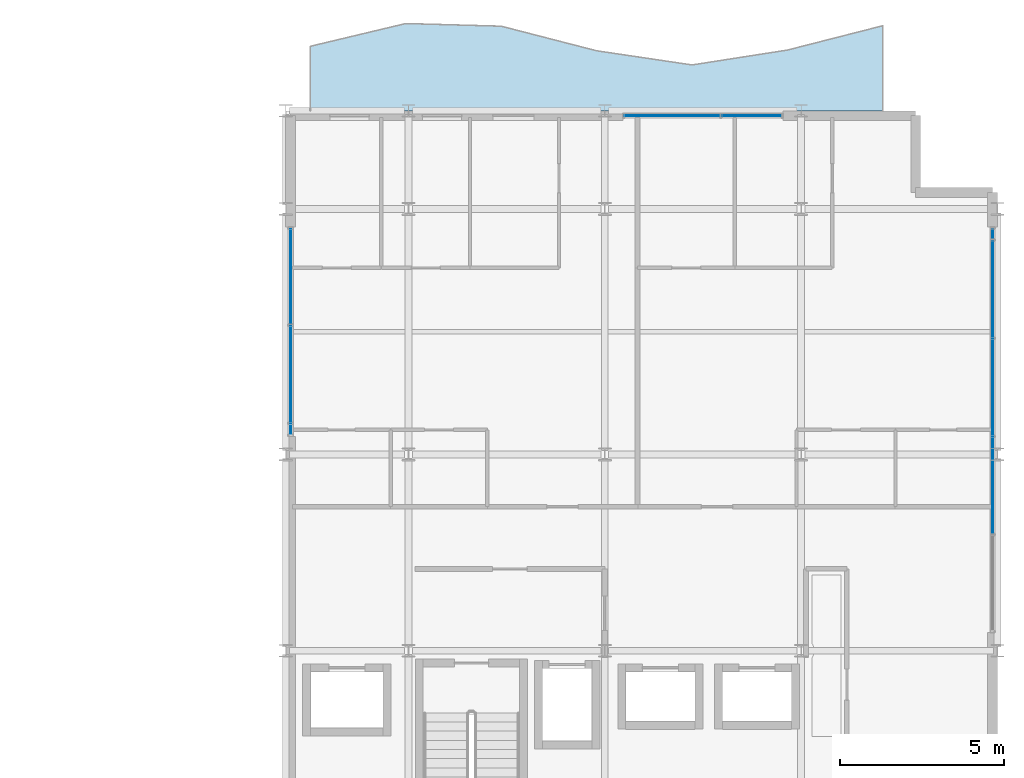
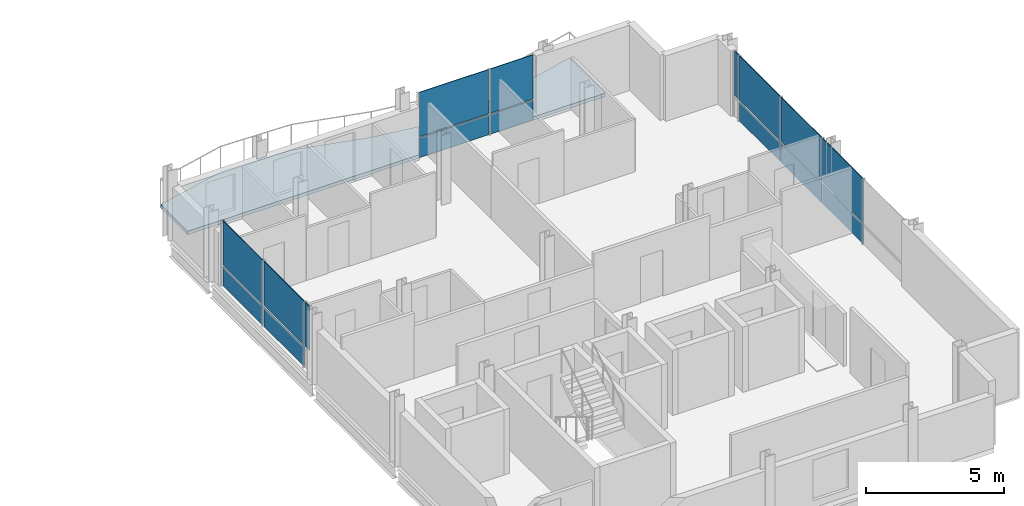
# One storey, part 19 of 27: 16 plates, 1 slab, 3 elements without a shape of their own.
"""IFC4 building model written with IfcOpenShell, lengths in metres."""

from ifc_helpers import new_model, si_unit, direction, frame, origin, origin_2d, place, context, subcontext, project, spatial, polyline, rectangle, outline, extrude, material, layer, layer_set, type_object, element, aggregate, save


model = new_model("IFC4")

# Units and contexts
model_context = context("Model", 3, precision=1e-05, world=origin(), true_north=direction((0.0, 1.0)))
body_context = subcontext(model_context, "Body", "Model", "MODEL_VIEW")
ifc_project = project(units=[si_unit("LENGTHUNIT", "METRE"), si_unit("AREAUNIT", "SQUARE_METRE"), si_unit("VOLUMEUNIT", "CUBIC_METRE"), si_unit("PLANEANGLEUNIT", "RADIAN"), si_unit("MASSUNIT", "GRAM", prefix="KILO")], contexts=[model_context])

# Site, building, storey
site_placement = place(None, origin())
site = spatial("IfcSite", under=ifc_project, at=site_placement, CompositionType="ELEMENT")
building_placement = place(site_placement, origin())
building = spatial("IfcBuilding", under=site, at=building_placement, Name="Brevholm Reach", CompositionType="ELEMENT")
storey_placement = place(building_placement, frame((0.0, 0.0, 195.60009765625)))
storey = spatial("IfcBuildingStorey", under=building, at=storey_placement, Name="L59", CompositionType="ELEMENT", Elevation=195.60009765625)

# Curtain wall, plates
ifc_material_1 = material(Name="Dark Anodised Aluminium 6063-T6 and Solar-Control Glass", Category="aluminium")
ifc_layer_1 = layer(ifc_material_1, 0.1650390625)
ifc_layer_set_1 = layer_set([ifc_layer_1], Name="Dark Anodised Aluminium 6063-T6 and Solar-Control Glass")
curtain_wall_type_1 = type_object("IfcCurtainWallType", Name="CW-04", PredefinedType="NOTDEFINED", material=ifc_layer_set_1)
curtain_wall_1_placement = place(storey_placement, origin())
curtain_wall_1 = element("IfcCurtainWall", 1, at=curtain_wall_1_placement, inside=storey, type_object=curtain_wall_type_1, Name="L59 Curtain Wall CW-04", PredefinedType="NOTDEFINED")
ifc_material_2 = material(Name="Dark Solar-Control Double-Glazed IGU Glass", Category="glass")
ifc_layer_2 = layer(ifc_material_2, 0.028076171875)
ifc_layer_set_2 = layer_set([ifc_layer_2], Name="Dark Solar-Control Double-Glazed IGU Glass")
plate_type = type_object("IfcPlateType", Name="CWP-GLZ-28", PredefinedType="CURTAIN_PANEL", material=ifc_layer_set_2)
plate_1_placement = place(storey_placement, frame((38.39990234375, 21.4326171875, 0.0), z_axis=(0.0, 0.0, 1.0), x_axis=(0.0, -1.0, 0.0)))
plate_1 = element("IfcPlate", 2, at=plate_1_placement, type_object=plate_type, Name="CP-01 Glazing Panel 1.1", PredefinedType="CURTAIN_PANEL", context=body_context, shape_type="SweptSolid", body=[
    extrude(rectangle(XDim=2.89501953125, YDim=0.028076171875, at=origin_2d()), origin(), (0.0, 0.0, 1.0), 0.864990234375),
])
plate_2_placement = place(storey_placement, frame((38.39990234375, 21.4326171875, 0.934814453125), z_axis=(0.0, 0.0, 1.0), x_axis=(0.0, -1.0, 0.0)))
plate_2 = element("IfcPlate", 3, at=plate_2_placement, type_object=plate_type, Name="CP-01 Glazing Panel 1.2", PredefinedType="CURTAIN_PANEL", context=body_context, shape_type="SweptSolid", body=[
    extrude(rectangle(XDim=2.89501953125, YDim=0.028076171875, at=origin_2d()), origin(), (0.0, 0.0, 1.0), 1.955078125),
])
plate_3_placement = place(storey_placement, frame((38.39990234375, 18.449951171875, 0.0), z_axis=(0.0, 0.0, 1.0), x_axis=(0.0, -1.0, 0.0)))
plate_3 = element("IfcPlate", 4, at=plate_3_placement, type_object=plate_type, Name="CP-01 Glazing Panel 2.1", PredefinedType="CURTAIN_PANEL", context=body_context, shape_type="SweptSolid", body=[
    extrude(rectangle(XDim=2.929931640625, YDim=0.028076171875, at=origin_2d()), origin(), (0.0, 0.0, 1.0), 0.864990234375),
])
plate_4_placement = place(storey_placement, frame((38.39990234375, 18.449951171875, 0.934814453125), z_axis=(0.0, 0.0, 1.0), x_axis=(0.0, -1.0, 0.0)))
plate_4 = element("IfcPlate", 5, at=plate_4_placement, type_object=plate_type, Name="CP-01 Glazing Panel 2.2", PredefinedType="CURTAIN_PANEL", context=body_context, shape_type="SweptSolid", body=[
    extrude(rectangle(XDim=2.929931640625, YDim=0.028076171875, at=origin_2d()), origin(), (0.0, 0.0, 1.0), 1.955078125),
])
plate_5_placement = place(storey_placement, frame((38.39990234375, 16.767578125, 0.934814453125), z_axis=(0.0, 0.0, 1.0), x_axis=(0.0, -1.0, 0.0)))
plate_5 = element("IfcPlate", 6, at=plate_5_placement, type_object=plate_type, Name="CP-01 Glazing Panel 3.2", PredefinedType="CURTAIN_PANEL", context=body_context, shape_type="SweptSolid", body=[
    extrude(rectangle(XDim=0.294921875, YDim=0.028076171875, at=origin_2d()), origin(), (0.0, 0.0, 1.0), 1.955078125),
])
aggregate(curtain_wall_1, [plate_1, plate_2, plate_3, plate_4, plate_5])

ifc_material_3 = material(Name="Dark Anodised Aluminium 6063-T6 and Solar-Control Glass", Category="aluminium")
ifc_layer_3 = layer(ifc_material_3, 0.14990234375)
ifc_layer_set_3 = layer_set([ifc_layer_3], Name="Dark Anodised Aluminium 6063-T6 and Solar-Control Glass")
curtain_wall_type_2 = type_object("IfcCurtainWallType", Name="CW-01", PredefinedType="NOTDEFINED", material=ifc_layer_set_3)
curtain_wall_2_placement = place(storey_placement, origin())
curtain_wall_2 = element("IfcCurtainWall", 7, at=curtain_wall_2_placement, inside=storey, type_object=curtain_wall_type_2, Name="L59 Curtain Wall CW-01", PredefinedType="NOTDEFINED")
plate_6_placement = place(storey_placement, frame((59.85009765625, 15.050048828125, 0.0), z_axis=(0.0, 0.0, 1.0), x_axis=(0.0, 1.0, 0.0)))
plate_6 = element("IfcPlate", 8, at=plate_6_placement, type_object=plate_type, Name="CP-01 Glazing Panel 2.1", PredefinedType="CURTAIN_PANEL", context=body_context, shape_type="SweptSolid", body=[
    extrude(rectangle(XDim=2.93505859375, YDim=0.028076171875, at=origin_2d()), origin(), (0.0, 0.0, 1.0), 0.867431640625),
])
plate_7_placement = place(storey_placement, frame((59.85009765625, 15.050048828125, 0.932373046875), z_axis=(0.0, 0.0, 1.0), x_axis=(0.0, 1.0, 0.0)))
plate_7 = element("IfcPlate", 9, at=plate_7_placement, type_object=plate_type, Name="CP-01 Glazing Panel 2.2", PredefinedType="CURTAIN_PANEL", context=body_context, shape_type="SweptSolid", body=[
    extrude(rectangle(XDim=2.93505859375, YDim=0.028076171875, at=origin_2d()), origin(), (0.0, 0.0, 1.0), 1.95751953125),
])
plate_8_placement = place(storey_placement, frame((59.85009765625, 18.050048828125, 0.0), z_axis=(0.0, 0.0, 1.0), x_axis=(0.0, 1.0, 0.0)))
plate_8 = element("IfcPlate", 10, at=plate_8_placement, type_object=plate_type, Name="CP-01 Glazing Panel 3.1", PredefinedType="CURTAIN_PANEL", context=body_context, shape_type="SweptSolid", body=[
    extrude(rectangle(XDim=2.93505859375, YDim=0.028076171875, at=origin_2d()), origin(), (0.0, 0.0, 1.0), 0.867431640625),
])
plate_9_placement = place(storey_placement, frame((59.85009765625, 18.050048828125, 0.932373046875), z_axis=(0.0, 0.0, 1.0), x_axis=(0.0, 1.0, 0.0)))
plate_9 = element("IfcPlate", 11, at=plate_9_placement, type_object=plate_type, Name="CP-01 Glazing Panel 3.2", PredefinedType="CURTAIN_PANEL", context=body_context, shape_type="SweptSolid", body=[
    extrude(rectangle(XDim=2.93505859375, YDim=0.028076171875, at=origin_2d()), origin(), (0.0, 0.0, 1.0), 1.95751953125),
])
plate_10_placement = place(storey_placement, frame((59.85009765625, 21.050048828125, 0.0), z_axis=(0.0, 0.0, 1.0), x_axis=(0.0, 1.0, 0.0)))
plate_10 = element("IfcPlate", 12, at=plate_10_placement, type_object=plate_type, Name="CP-01 Glazing Panel 4.1", PredefinedType="CURTAIN_PANEL", context=body_context, shape_type="SweptSolid", body=[
    extrude(rectangle(XDim=2.93505859375, YDim=0.028076171875, at=origin_2d()), origin(), (0.0, 0.0, 1.0), 0.867431640625),
])
plate_11_placement = place(storey_placement, frame((59.85009765625, 21.050048828125, 0.932373046875), z_axis=(0.0, 0.0, 1.0), x_axis=(0.0, 1.0, 0.0)))
plate_11 = element("IfcPlate", 13, at=plate_11_placement, type_object=plate_type, Name="CP-01 Glazing Panel 4.2", PredefinedType="CURTAIN_PANEL", context=body_context, shape_type="SweptSolid", body=[
    extrude(rectangle(XDim=2.93505859375, YDim=0.028076171875, at=origin_2d()), origin(), (0.0, 0.0, 1.0), 1.95751953125),
])
plate_12_placement = place(storey_placement, frame((59.85009765625, 22.733642578125, 0.932373046875), z_axis=(0.0, 0.0, 1.0), x_axis=(0.0, 1.0, 0.0)))
plate_12 = element("IfcPlate", 14, at=plate_12_placement, type_object=plate_type, Name="CP-01 Glazing Panel 5.2", PredefinedType="CURTAIN_PANEL", context=body_context, shape_type="SweptSolid", body=[
    extrude(rectangle(XDim=0.302490234375, YDim=0.028076171875, at=origin_2d()), origin(), (0.0, 0.0, 1.0), 1.95751953125),
])
aggregate(curtain_wall_2, [plate_6, plate_7, plate_8, plate_9, plate_10, plate_11, plate_12])

curtain_wall_3_placement = place(storey_placement, origin())
curtain_wall_3 = element("IfcCurtainWall", 15, at=curtain_wall_3_placement, inside=storey, type_object=curtain_wall_type_2, Name="L59 Curtain Wall CW-01", PredefinedType="NOTDEFINED")
plate_13_placement = place(storey_placement, frame((50.066162109375, 26.35009765625, 0.0), z_axis=(0.0, 0.0, 1.0), x_axis=(1.0, 0.0, 0.0)))
plate_13 = element("IfcPlate", 16, at=plate_13_placement, type_object=plate_type, Name="CP-01 Glazing Panel 1.1", PredefinedType="CURTAIN_PANEL", context=body_context, shape_type="SweptSolid", body=[
    extrude(rectangle(XDim=2.902587890625, YDim=0.028076171875, at=origin_2d()), origin(), (0.0, 0.0, 1.0), 0.867431640625),
])
plate_14_placement = place(storey_placement, frame((50.066162109375, 26.35009765625, 0.932373046875), z_axis=(0.0, 0.0, 1.0), x_axis=(1.0, 0.0, 0.0)))
plate_14 = element("IfcPlate", 17, at=plate_14_placement, type_object=plate_type, Name="CP-01 Glazing Panel 1.2", PredefinedType="CURTAIN_PANEL", context=body_context, shape_type="SweptSolid", body=[
    extrude(rectangle(XDim=2.902587890625, YDim=0.028076171875, at=origin_2d()), origin(), (0.0, 0.0, 1.0), 1.95751953125),
])
plate_15_placement = place(storey_placement, frame((52.483642578125, 26.35009765625, 0.0), z_axis=(0.0, 0.0, 1.0), x_axis=(1.0, 0.0, 0.0)))
plate_15 = element("IfcPlate", 18, at=plate_15_placement, type_object=plate_type, Name="CP-01 Glazing Panel 2.1", PredefinedType="CURTAIN_PANEL", context=body_context, shape_type="SweptSolid", body=[
    extrude(rectangle(XDim=1.802490234375, YDim=0.028076171875, at=origin_2d()), origin(), (0.0, 0.0, 1.0), 0.867431640625),
])
plate_16_placement = place(storey_placement, frame((52.483642578125, 26.35009765625, 0.932373046875), z_axis=(0.0, 0.0, 1.0), x_axis=(1.0, 0.0, 0.0)))
plate_16 = element("IfcPlate", 19, at=plate_16_placement, type_object=plate_type, Name="CP-01 Glazing Panel 2.2", PredefinedType="CURTAIN_PANEL", context=body_context, shape_type="SweptSolid", body=[
    extrude(rectangle(XDim=1.802490234375, YDim=0.028076171875, at=origin_2d()), origin(), (0.0, 0.0, 1.0), 1.95751953125),
])
aggregate(curtain_wall_3, [plate_13, plate_14, plate_15, plate_16])

# Slab
ifc_material_4 = material(Name="Precast Concrete C45/55", Category="concrete")
ifc_layer_4 = layer(ifc_material_4, 0.14990234375)
ifc_layer_set_4 = layer_set([ifc_layer_4], Name="Precast Concrete C45/55")
slab_type = type_object("IfcSlabType", Name="SLB-BAL-150", PredefinedType="FLOOR", material=ifc_layer_set_4)
slab_placement = place(storey_placement, frame((0.0, 0.0, -0.150146484375)))
element("IfcSlab", 20, at=slab_placement, inside=storey, type_object=slab_type, Name="L59 Rippling External Balcony NE", PredefinedType="FLOOR", context=body_context, shape_type="SweptSolid", body=[
    extrude(outline(polyline([(39.0, 26.5), (56.5, 26.5), (56.5, 29.099609375), (53.583251953125, 28.355224609375), (50.666748046875, 27.900146484375), (47.75, 28.3330078125), (44.833251953125, 29.08447265625), (41.916748046875, 29.165283203125), (39.0, 28.469482421875), (39.0, 26.5)])), origin(), (0.0, 0.0, 1.0), 0.150146484375),
])

save(model, "model.ifc")
